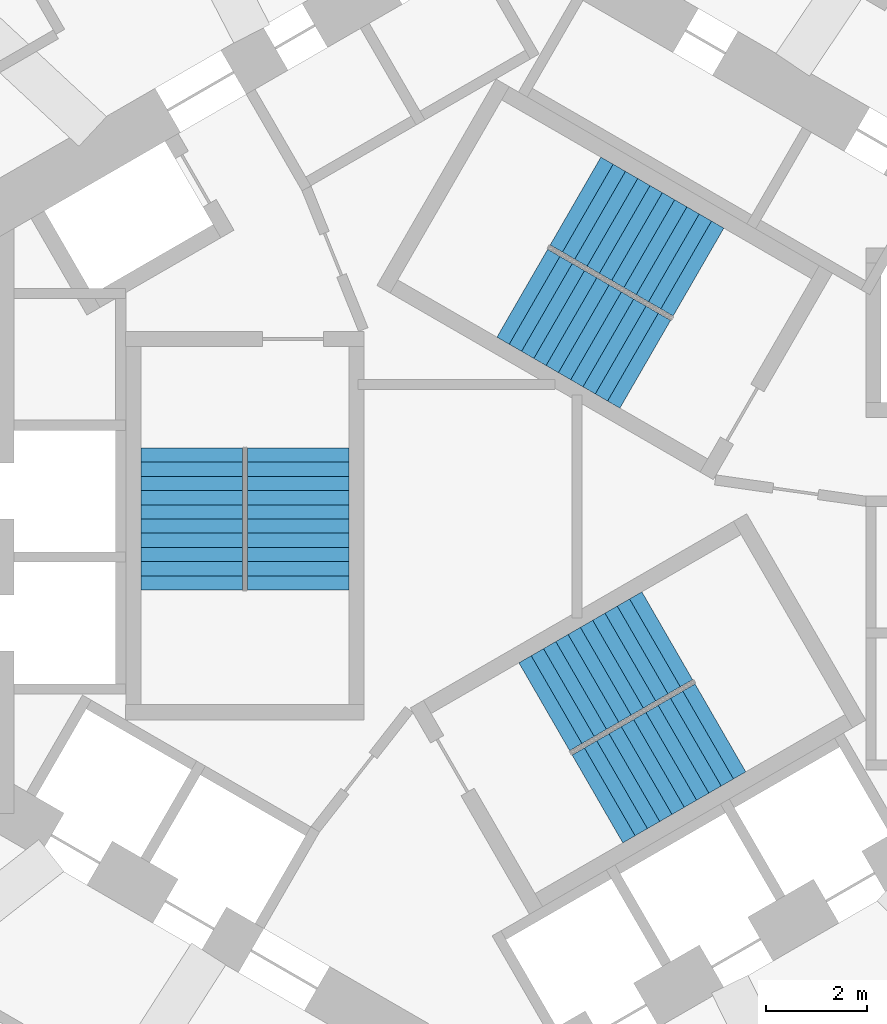
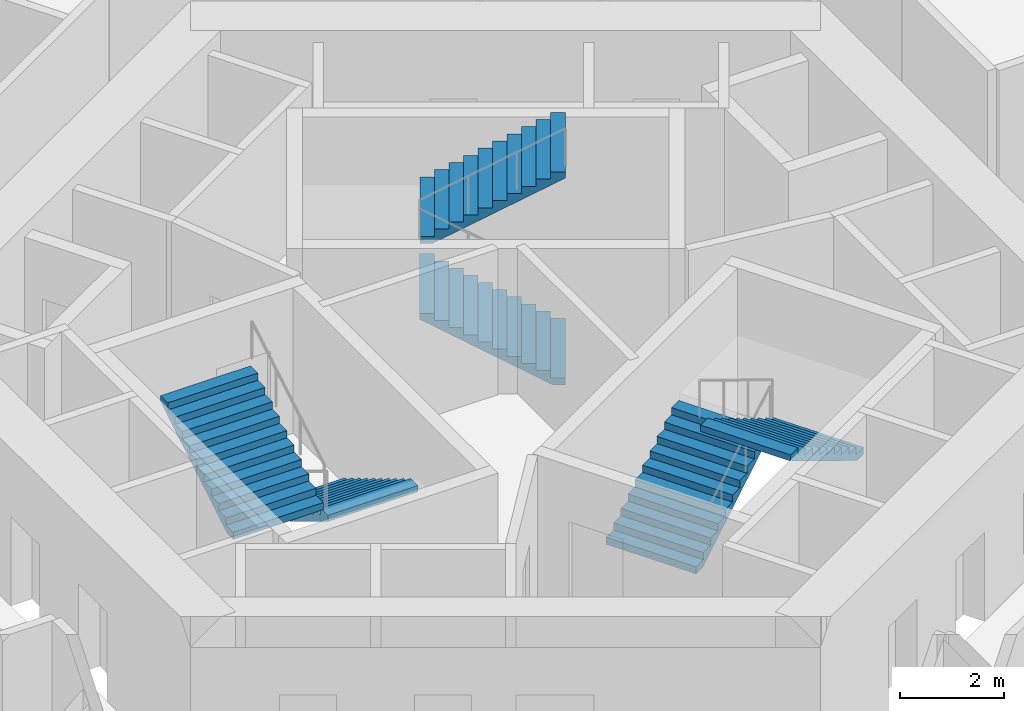
# One storey, part 9 of 11: 6 stair flights, 3 elements without a shape of their own.
"""IFC4 building model written with IfcOpenShell, lengths in metres."""

from ifc_helpers import new_model, si_unit, direction, frame, origin, place, context, subcontext, project, spatial, triangles, source, transform, mapped, material, type_object, element, aggregate, save


model = new_model("IFC4")

# Units and contexts
model_context = context("Model", 3, precision=1e-05, world=origin(), true_north=direction((0.0, 1.0)))
body_context = subcontext(model_context, "Body", "Model", "MODEL_VIEW")
ifc_project = project(units=[si_unit("LENGTHUNIT", "METRE"), si_unit("AREAUNIT", "SQUARE_METRE"), si_unit("VOLUMEUNIT", "CUBIC_METRE"), si_unit("PLANEANGLEUNIT", "RADIAN"), si_unit("MASSUNIT", "GRAM", prefix="KILO")], contexts=[model_context])

# Site, building, storey
site_placement = place(None, origin())
site = spatial("IfcSite", under=ifc_project, at=site_placement, CompositionType="ELEMENT")
building_placement = place(site_placement, origin())
building = spatial("IfcBuilding", under=site, at=building_placement, Name="Vanh Sen Convention Tower", CompositionType="ELEMENT")
storey_placement = place(building_placement, frame((0.0, 0.0, 198.39990234375)))
storey = spatial("IfcBuildingStorey", under=building, at=storey_placement, Name="L49", CompositionType="ELEMENT", Elevation=198.39990234375)

# Stair, stair flights
ifc_material_1 = material(Name="Concrete C50/60", Category="concrete")
stair_type_1 = type_object("IfcStairType", Name="Exit stair ST1 22 risers at 168.2", PredefinedType="HALF_TURN_STAIR", material=ifc_material_1)
stair_1_placement = place(storey_placement, origin())
stair_1 = element("IfcStair", 1, at=stair_1_placement, inside=storey, type_object=stair_type_1, Name="Exit stair ST1 L49", PredefinedType="HALF_TURN_STAIR")
ifc_material_2 = material(Name="Concrete C40/50", Category="concrete")
stair_flight_type = type_object("IfcStairFlightType", Name="Stair flight 2000", PredefinedType="STRAIGHT", material=ifc_material_2)
shared_shape = source(origin(), body_context, "Body", "Tessellation", [
    triangles([(0.24267578125, 1.0, 0.0), (0.0, 1.0, 0.0), (0.0, 1.0, 0.168212890625), (0.280029296875, 1.0, 0.168212890625), (0.280029296875, 1.0, 0.33642578125), (0.56005859375, 1.0, 0.33642578125), (0.56005859375, 1.0, 0.504638671875), (0.840087890625, 1.0, 0.504638671875), (0.840087890625, 1.0, 0.672607421875), (1.1201171875, 1.0, 0.672607421875), (1.1201171875, 1.0, 0.8408203125), (1.39990234375, 1.0, 0.8408203125), (1.39990234375, 1.0, 1.009033203125), (1.679931640625, 1.0, 1.009033203125), (1.679931640625, 1.0, 1.17724609375), (1.9599609375, 1.0, 1.17724609375), (1.9599609375, 1.0, 1.345458984375), (2.239990234375, 1.0, 1.345458984375), (2.239990234375, 1.0, 1.513671875), (2.52001953125, 1.0, 1.513671875), (2.52001953125, 1.0, 1.681884765625), (2.800048828125, 1.0, 1.681884765625), (2.800048828125, 1.0, 1.535888671875), (0.24267578125, -1.0, 0.0), (0.0, -1.0, 0.0), (0.0, -1.0, 0.168212890625), (0.280029296875, -1.0, 0.168212890625), (0.280029296875, -1.0, 0.33642578125), (0.56005859375, -1.0, 0.33642578125), (0.56005859375, -1.0, 0.504638671875), (0.840087890625, -1.0, 0.504638671875), (0.840087890625, -1.0, 0.672607421875), (1.1201171875, -1.0, 0.672607421875), (1.1201171875, -1.0, 0.8408203125), (1.39990234375, -1.0, 0.8408203125), (1.39990234375, -1.0, 1.009033203125), (1.679931640625, -1.0, 1.009033203125), (1.679931640625, -1.0, 1.17724609375), (1.9599609375, -1.0, 1.17724609375), (1.9599609375, -1.0, 1.345458984375), (2.239990234375, -1.0, 1.345458984375), (2.239990234375, -1.0, 1.513671875), (2.52001953125, -1.0, 1.513671875), (2.52001953125, -1.0, 1.681884765625), (2.800048828125, -1.0, 1.681884765625), (2.800048828125, -1.0, 1.535888671875), (0.0, 0.0400390625, 0.0), (0.0, 0.0390625, 0.0), (0.0, 0.0380859375, 0.0), (0.0, 0.037109375, 0.0), (0.0, 0.035888671875, 0.0), (0.0, 0.034912109375, 0.0), (0.0, 0.033935546875, 0.0), (0.0, 0.032958984375, 0.0), (0.0, 0.031982421875, 0.0), (0.0, 0.031005859375, 0.0), (0.0, 0.030029296875, 0.0), (0.0, 0.029052734375, 0.0), (0.0, 0.028076171875, 0.0), (0.0, 0.027099609375, 0.0), (0.0, 0.02587890625, 0.0), (0.0, 0.02490234375, 0.0), (0.0, 0.02392578125, 0.0), (0.0, 0.02294921875, 0.0), (0.0, 0.02197265625, 0.0), (0.0, 0.02099609375, 0.0), (0.0, 0.02001953125, 0.0), (0.0, 0.01904296875, 0.0), (0.0, 0.01806640625, 0.0), (0.0, 0.01708984375, 0.0), (0.0, 0.01611328125, 0.0), (0.0, 0.014892578125, 0.0), (0.0, 0.013916015625, 0.0), (0.0, 0.012939453125, 0.0), (0.0, 0.011962890625, 0.0), (0.0, 0.010986328125, 0.0), (0.0, 0.010009765625, 0.0), (0.0, 0.009033203125, 0.0), (0.0, 0.008056640625, 0.0), (0.0, 0.007080078125, 0.0), (0.0, 0.006103515625, 0.0), (0.0, 0.0048828125, 0.0), (0.0, 0.00390625, 0.0), (0.0, 0.0029296875, 0.0), (0.0, 0.001953125, 0.0), (0.0, 0.0009765625, 0.0), (0.0, 0.0, 0.0), (0.0, -0.0009765625, 0.0), (0.0, -0.001953125, 0.0), (0.0, -0.0029296875, 0.0), (0.0, -0.00390625, 0.0), (0.0, -0.0048828125, 0.0), (0.0, -0.006103515625, 0.0), (0.0, -0.007080078125, 0.0), (0.0, -0.008056640625, 0.0), (0.0, -0.009033203125, 0.0), (0.0, -0.010009765625, 0.0), (0.0, -0.010986328125, 0.0), (0.0, -0.011962890625, 0.0), (0.0, -0.012939453125, 0.0), (0.0, -0.013916015625, 0.0), (0.0, -0.014892578125, 0.0), (0.0, -0.01611328125, 0.0), (0.0, -0.01708984375, 0.0), (0.0, -0.01806640625, 0.0), (0.0, -0.01904296875, 0.0), (0.0, -0.02001953125, 0.0), (0.0, -0.02099609375, 0.0), (0.0, -0.02197265625, 0.0), (0.0, -0.02294921875, 0.0), (0.0, -0.02392578125, 0.0), (0.0, -0.02490234375, 0.0), (0.0, -0.02587890625, 0.0), (0.0, -0.027099609375, 0.0), (0.0, -0.028076171875, 0.0), (0.0, -0.029052734375, 0.0), (0.0, -0.030029296875, 0.0), (0.0, -0.031005859375, 0.0), (0.0, -0.031982421875, 0.0), (0.0, -0.032958984375, 0.0), (0.0, -0.033935546875, 0.0), (0.0, -0.034912109375, 0.0), (0.0, -0.035888671875, 0.0), (0.0, -0.037109375, 0.0), (0.0, -0.0380859375, 0.0), (0.0, -0.0390625, 0.0), (0.0, -0.0400390625, 0.0), (0.0, 0.0400390625, 0.168212890625), (0.0, 0.0390625, 0.168212890625), (0.0, 0.0380859375, 0.168212890625), (0.0, 0.037109375, 0.168212890625), (0.0, 0.035888671875, 0.168212890625), (0.0, 0.034912109375, 0.168212890625), (0.0, 0.033935546875, 0.168212890625), (0.0, 0.032958984375, 0.168212890625), (0.0, 0.031982421875, 0.168212890625), (0.0, 0.031005859375, 0.168212890625), (0.0, 0.030029296875, 0.168212890625), (0.0, 0.029052734375, 0.168212890625), (0.0, 0.028076171875, 0.168212890625), (0.0, 0.027099609375, 0.168212890625), (0.0, 0.02587890625, 0.168212890625), (0.0, 0.02490234375, 0.168212890625), (0.0, 0.02392578125, 0.168212890625), (0.0, 0.02294921875, 0.168212890625), (0.0, 0.02197265625, 0.168212890625), (0.0, 0.02099609375, 0.168212890625), (0.0, 0.02001953125, 0.168212890625), (0.0, 0.01904296875, 0.168212890625), (0.0, 0.01806640625, 0.168212890625), (0.0, 0.01708984375, 0.168212890625), (0.0, 0.01611328125, 0.168212890625), (0.0, 0.014892578125, 0.168212890625), (0.0, 0.013916015625, 0.168212890625), (0.0, 0.012939453125, 0.168212890625), (0.0, 0.011962890625, 0.168212890625), (0.0, 0.010986328125, 0.168212890625), (0.0, 0.010009765625, 0.168212890625), (0.0, 0.009033203125, 0.168212890625), (0.0, 0.008056640625, 0.168212890625), (0.0, 0.007080078125, 0.168212890625), (0.0, 0.006103515625, 0.168212890625), (0.0, 0.0048828125, 0.168212890625), (0.0, 0.00390625, 0.168212890625), (0.0, 0.0029296875, 0.168212890625), (0.0, 0.001953125, 0.168212890625), (0.0, 0.0009765625, 0.168212890625), (0.0, 0.0, 0.168212890625), (0.0, -0.0009765625, 0.168212890625), (0.0, -0.001953125, 0.168212890625), (0.0, -0.0029296875, 0.168212890625), (0.0, -0.00390625, 0.168212890625), (0.0, -0.0048828125, 0.168212890625), (0.0, -0.006103515625, 0.168212890625), (0.0, -0.007080078125, 0.168212890625), (0.0, -0.008056640625, 0.168212890625), (0.0, -0.009033203125, 0.168212890625), (0.0, -0.010009765625, 0.168212890625), (0.0, -0.010986328125, 0.168212890625), (0.0, -0.011962890625, 0.168212890625), (0.0, -0.012939453125, 0.168212890625), (0.0, -0.013916015625, 0.168212890625), (0.0, -0.014892578125, 0.168212890625), (0.0, -0.01611328125, 0.168212890625), (0.0, -0.01708984375, 0.168212890625), (0.0, -0.01806640625, 0.168212890625), (0.0, -0.01904296875, 0.168212890625), (0.0, -0.02001953125, 0.168212890625), (0.0, -0.02099609375, 0.168212890625), (0.0, -0.02197265625, 0.168212890625), (0.0, -0.02294921875, 0.168212890625), (0.0, -0.02392578125, 0.168212890625), (0.0, -0.02490234375, 0.168212890625), (0.0, -0.02587890625, 0.168212890625), (0.0, -0.027099609375, 0.168212890625), (0.0, -0.028076171875, 0.168212890625), (0.0, -0.029052734375, 0.168212890625), (0.0, -0.030029296875, 0.168212890625), (0.0, -0.031005859375, 0.168212890625), (0.0, -0.031982421875, 0.168212890625), (0.0, -0.032958984375, 0.168212890625), (0.0, -0.033935546875, 0.168212890625), (0.0, -0.034912109375, 0.168212890625), (0.0, -0.035888671875, 0.168212890625), (0.0, -0.037109375, 0.168212890625), (0.0, -0.0380859375, 0.168212890625), (0.0, -0.0390625, 0.168212890625), (0.0, -0.0400390625, 0.168212890625), (0.280029296875, 0.0, 0.168212890625), (0.280029296875, 0.0, 0.33642578125), (0.56005859375, 0.0, 0.33642578125), (0.56005859375, 0.0, 0.504638671875), (0.840087890625, 0.0, 0.504638671875), (0.840087890625, 0.0, 0.672607421875), (1.1201171875, 0.0, 0.672607421875), (1.1201171875, 0.0, 0.8408203125), (1.39990234375, 0.0, 0.8408203125), (1.39990234375, 0.0, 1.009033203125), (1.679931640625, 0.0, 1.009033203125), (1.679931640625, 0.0, 1.17724609375), (1.9599609375, 0.0, 1.17724609375), (1.9599609375, 0.0, 1.345458984375), (2.239990234375, 0.0, 1.345458984375), (2.239990234375, 0.0, 1.513671875), (2.52001953125, 0.0, 1.513671875), (2.52001953125, 0.0, 1.681884765625), (2.800048828125, 0.0400390625, 1.681884765625), (2.800048828125, 0.0390625, 1.681884765625), (2.800048828125, 0.0380859375, 1.681884765625), (2.800048828125, 0.037109375, 1.681884765625), (2.800048828125, 0.035888671875, 1.681884765625), (2.800048828125, 0.034912109375, 1.681884765625), (2.800048828125, 0.033935546875, 1.681884765625), (2.800048828125, 0.032958984375, 1.681884765625), (2.800048828125, 0.031982421875, 1.681884765625), (2.800048828125, 0.031005859375, 1.681884765625), (2.800048828125, 0.030029296875, 1.681884765625), (2.800048828125, 0.029052734375, 1.681884765625), (2.800048828125, 0.028076171875, 1.681884765625), (2.800048828125, 0.027099609375, 1.681884765625), (2.800048828125, 0.02587890625, 1.681884765625), (2.800048828125, 0.02490234375, 1.681884765625), (2.800048828125, 0.02392578125, 1.681884765625), (2.800048828125, 0.02294921875, 1.681884765625), (2.800048828125, 0.02197265625, 1.681884765625), (2.800048828125, 0.02099609375, 1.681884765625), (2.800048828125, 0.02001953125, 1.681884765625), (2.800048828125, 0.01904296875, 1.681884765625), (2.800048828125, 0.01806640625, 1.681884765625), (2.800048828125, 0.01708984375, 1.681884765625), (2.800048828125, 0.01611328125, 1.681884765625), (2.800048828125, 0.014892578125, 1.681884765625), (2.800048828125, 0.013916015625, 1.681884765625), (2.800048828125, 0.012939453125, 1.681884765625), (2.800048828125, 0.011962890625, 1.681884765625), (2.800048828125, 0.010986328125, 1.681884765625), (2.800048828125, 0.010009765625, 1.681884765625), (2.800048828125, 0.009033203125, 1.681884765625), (2.800048828125, 0.008056640625, 1.681884765625), (2.800048828125, 0.007080078125, 1.681884765625), (2.800048828125, 0.006103515625, 1.681884765625), (2.800048828125, 0.0048828125, 1.681884765625), (2.800048828125, 0.00390625, 1.681884765625), (2.800048828125, 0.0029296875, 1.681884765625), (2.800048828125, 0.001953125, 1.681884765625), (2.800048828125, 0.0009765625, 1.681884765625), (2.800048828125, 0.0, 1.681884765625), (2.800048828125, -0.0009765625, 1.681884765625), (2.800048828125, -0.001953125, 1.681884765625), (2.800048828125, -0.0029296875, 1.681884765625), (2.800048828125, -0.00390625, 1.681884765625), (2.800048828125, -0.0048828125, 1.681884765625), (2.800048828125, -0.006103515625, 1.681884765625), (2.800048828125, -0.007080078125, 1.681884765625), (2.800048828125, -0.008056640625, 1.681884765625), (2.800048828125, -0.009033203125, 1.681884765625), (2.800048828125, -0.010009765625, 1.681884765625), (2.800048828125, -0.010986328125, 1.681884765625), (2.800048828125, -0.011962890625, 1.681884765625), (2.800048828125, -0.012939453125, 1.681884765625), (2.800048828125, -0.013916015625, 1.681884765625), (2.800048828125, -0.014892578125, 1.681884765625), (2.800048828125, -0.01611328125, 1.681884765625), (2.800048828125, -0.01708984375, 1.681884765625), (2.800048828125, -0.01806640625, 1.681884765625), (2.800048828125, -0.01904296875, 1.681884765625), (2.800048828125, -0.02001953125, 1.681884765625), (2.800048828125, -0.02099609375, 1.681884765625), (2.800048828125, -0.02197265625, 1.681884765625), (2.800048828125, -0.02294921875, 1.681884765625), (2.800048828125, -0.02392578125, 1.681884765625), (2.800048828125, -0.02490234375, 1.681884765625), (2.800048828125, -0.02587890625, 1.681884765625), (2.800048828125, -0.027099609375, 1.681884765625), (2.800048828125, -0.028076171875, 1.681884765625), (2.800048828125, -0.029052734375, 1.681884765625), (2.800048828125, -0.030029296875, 1.681884765625), (2.800048828125, -0.031005859375, 1.681884765625), (2.800048828125, -0.031982421875, 1.681884765625), (2.800048828125, -0.032958984375, 1.681884765625), (2.800048828125, -0.033935546875, 1.681884765625), (2.800048828125, -0.034912109375, 1.681884765625), (2.800048828125, -0.035888671875, 1.681884765625), (2.800048828125, -0.037109375, 1.681884765625), (2.800048828125, -0.0380859375, 1.681884765625), (2.800048828125, -0.0390625, 1.681884765625), (2.800048828125, -0.0400390625, 1.681884765625), (2.800048828125, 0.0400390625, 1.535888671875), (2.800048828125, 0.0390625, 1.535888671875), (2.800048828125, 0.0380859375, 1.535888671875), (2.800048828125, 0.037109375, 1.535888671875), (2.800048828125, 0.035888671875, 1.535888671875), (2.800048828125, 0.034912109375, 1.535888671875), (2.800048828125, 0.033935546875, 1.535888671875), (2.800048828125, 0.032958984375, 1.535888671875), (2.800048828125, 0.031982421875, 1.535888671875), (2.800048828125, 0.031005859375, 1.535888671875), (2.800048828125, 0.030029296875, 1.535888671875), (2.800048828125, 0.029052734375, 1.535888671875), (2.800048828125, 0.028076171875, 1.535888671875), (2.800048828125, 0.027099609375, 1.535888671875), (2.800048828125, 0.02587890625, 1.535888671875), (2.800048828125, 0.02490234375, 1.535888671875), (2.800048828125, 0.02392578125, 1.535888671875), (2.800048828125, 0.02294921875, 1.535888671875), (2.800048828125, 0.02197265625, 1.535888671875), (2.800048828125, 0.02099609375, 1.535888671875), (2.800048828125, 0.02001953125, 1.535888671875), (2.800048828125, 0.01904296875, 1.535888671875), (2.800048828125, 0.01806640625, 1.535888671875), (2.800048828125, 0.01708984375, 1.535888671875), (2.800048828125, 0.01611328125, 1.535888671875), (2.800048828125, 0.014892578125, 1.535888671875), (2.800048828125, 0.013916015625, 1.535888671875), (2.800048828125, 0.012939453125, 1.535888671875), (2.800048828125, 0.011962890625, 1.535888671875), (2.800048828125, 0.010986328125, 1.535888671875), (2.800048828125, 0.010009765625, 1.535888671875), (2.800048828125, 0.009033203125, 1.535888671875), (2.800048828125, 0.008056640625, 1.535888671875), (2.800048828125, 0.007080078125, 1.535888671875), (2.800048828125, 0.006103515625, 1.535888671875), (2.800048828125, 0.0048828125, 1.535888671875), (2.800048828125, 0.00390625, 1.535888671875), (2.800048828125, 0.0029296875, 1.535888671875), (2.800048828125, 0.001953125, 1.535888671875), (2.800048828125, 0.0009765625, 1.535888671875), (2.800048828125, 0.0, 1.535888671875), (2.800048828125, -0.0009765625, 1.535888671875), (2.800048828125, -0.001953125, 1.535888671875), (2.800048828125, -0.0029296875, 1.535888671875), (2.800048828125, -0.00390625, 1.535888671875), (2.800048828125, -0.0048828125, 1.535888671875), (2.800048828125, -0.006103515625, 1.535888671875), (2.800048828125, -0.007080078125, 1.535888671875), (2.800048828125, -0.008056640625, 1.535888671875), (2.800048828125, -0.009033203125, 1.535888671875), (2.800048828125, -0.010009765625, 1.535888671875), (2.800048828125, -0.010986328125, 1.535888671875), (2.800048828125, -0.011962890625, 1.535888671875), (2.800048828125, -0.012939453125, 1.535888671875), (2.800048828125, -0.013916015625, 1.535888671875), (2.800048828125, -0.014892578125, 1.535888671875), (2.800048828125, -0.01611328125, 1.535888671875), (2.800048828125, -0.01708984375, 1.535888671875), (2.800048828125, -0.01806640625, 1.535888671875), (2.800048828125, -0.01904296875, 1.535888671875), (2.800048828125, -0.02001953125, 1.535888671875), (2.800048828125, -0.02099609375, 1.535888671875), (2.800048828125, -0.02197265625, 1.535888671875), (2.800048828125, -0.02294921875, 1.535888671875), (2.800048828125, -0.02392578125, 1.535888671875), (2.800048828125, -0.02490234375, 1.535888671875), (2.800048828125, -0.02587890625, 1.535888671875), (2.800048828125, -0.027099609375, 1.535888671875), (2.800048828125, -0.028076171875, 1.535888671875), (2.800048828125, -0.029052734375, 1.535888671875), (2.800048828125, -0.030029296875, 1.535888671875), (2.800048828125, -0.031005859375, 1.535888671875), (2.800048828125, -0.031982421875, 1.535888671875), (2.800048828125, -0.032958984375, 1.535888671875), (2.800048828125, -0.033935546875, 1.535888671875), (2.800048828125, -0.034912109375, 1.535888671875), (2.800048828125, -0.035888671875, 1.535888671875), (2.800048828125, -0.037109375, 1.535888671875), (2.800048828125, -0.0380859375, 1.535888671875), (2.800048828125, -0.0390625, 1.535888671875), (2.800048828125, -0.0400390625, 1.535888671875), (0.24267578125, 0.0, 0.0)], [[1, 2, 3], [1, 3, 4], [4, 5, 6], [1, 4, 6], [6, 7, 8], [1, 6, 8], [8, 9, 10], [1, 8, 10], [10, 11, 12], [1, 10, 12], [12, 13, 14], [1, 12, 14], [14, 15, 16], [1, 14, 16], [16, 17, 18], [1, 16, 18], [18, 19, 20], [1, 18, 20], [20, 21, 22], [1, 20, 22], [22, 23, 1], [24, 26, 25], [24, 27, 26], [27, 29, 28], [24, 29, 27], [29, 31, 30], [24, 31, 29], [31, 33, 32], [24, 33, 31], [33, 35, 34], [24, 35, 33], [35, 37, 36], [24, 37, 35], [37, 39, 38], [24, 39, 37], [39, 41, 40], [24, 41, 39], [41, 43, 42], [24, 43, 41], [43, 45, 44], [24, 45, 43], [45, 24, 46], [2, 128, 3], [2, 47, 128], [47, 129, 128], [47, 48, 129], [48, 130, 129], [48, 49, 130], [49, 131, 130], [49, 50, 131], [50, 132, 131], [50, 51, 132], [51, 133, 132], [51, 52, 133], [52, 134, 133], [52, 53, 134], [53, 135, 134], [53, 54, 135], [54, 136, 135], [54, 55, 136], [55, 137, 136], [55, 56, 137], [56, 138, 137], [56, 57, 138], [57, 139, 138], [57, 58, 139], [58, 140, 139], [58, 59, 140], [59, 141, 140], [59, 60, 141], [60, 142, 141], [60, 61, 142], [61, 143, 142], [61, 62, 143], [62, 144, 143], [62, 63, 144], [63, 145, 144], [63, 64, 145], [64, 146, 145], [64, 65, 146], [65, 147, 146], [65, 66, 147], [66, 148, 147], [66, 67, 148], [67, 149, 148], [67, 68, 149], [68, 150, 149], [68, 69, 150], [69, 151, 150], [69, 70, 151], [70, 152, 151], [70, 71, 152], [71, 153, 152], [71, 72, 153], [72, 154, 153], [72, 73, 154], [73, 155, 154], [73, 74, 155], [74, 156, 155], [74, 75, 156], [75, 157, 156], [75, 76, 157], [76, 158, 157], [76, 77, 158], [77, 159, 158], [77, 78, 159], [78, 160, 159], [78, 79, 160], [79, 161, 160], [79, 80, 161], [80, 162, 161], [80, 81, 162], [81, 163, 162], [81, 82, 163], [82, 164, 163], [82, 83, 164], [83, 165, 164], [83, 84, 165], [84, 166, 165], [84, 85, 166], [85, 167, 166], [85, 86, 167], [86, 168, 167], [86, 87, 168], [87, 88, 168], [168, 88, 169], [88, 89, 169], [169, 89, 170], [89, 90, 170], [170, 90, 171], [90, 91, 171], [171, 91, 172], [91, 92, 172], [172, 92, 173], [92, 93, 173], [173, 93, 174], [93, 94, 174], [174, 94, 175], [94, 95, 175], [175, 95, 176], [95, 96, 176], [176, 96, 177], [96, 97, 177], [177, 97, 178], [97, 98, 178], [178, 98, 179], [98, 99, 179], [179, 99, 180], [99, 100, 180], [180, 100, 181], [100, 101, 181], [181, 101, 182], [101, 102, 182], [182, 102, 183], [102, 103, 183], [183, 103, 184], [103, 104, 184], [184, 104, 185], [104, 105, 185], [185, 105, 186], [105, 106, 186], [186, 106, 187], [106, 107, 187], [187, 107, 188], [107, 108, 188], [188, 108, 189], [108, 109, 189], [189, 109, 190], [109, 110, 190], [190, 110, 191], [110, 111, 191], [191, 111, 192], [111, 112, 192], [192, 112, 193], [112, 113, 193], [193, 113, 194], [113, 114, 194], [194, 114, 195], [114, 115, 195], [195, 115, 196], [115, 116, 196], [196, 116, 197], [116, 117, 197], [197, 117, 198], [117, 118, 198], [198, 118, 199], [118, 119, 199], [199, 119, 200], [119, 120, 200], [200, 120, 201], [120, 121, 201], [201, 121, 202], [121, 122, 202], [202, 122, 203], [122, 123, 203], [203, 123, 204], [123, 124, 204], [204, 124, 205], [124, 125, 205], [205, 125, 206], [125, 126, 206], [206, 126, 207], [126, 127, 207], [207, 127, 208], [127, 25, 208], [208, 25, 26], [4, 3, 128], [4, 128, 129], [4, 129, 130], [4, 130, 131], [4, 131, 132], [4, 132, 133], [4, 133, 134], [4, 134, 135], [4, 135, 136], [4, 136, 137], [4, 137, 138], [4, 138, 139], [4, 139, 140], [4, 140, 141], [4, 141, 142], [4, 142, 143], [4, 143, 144], [4, 144, 145], [4, 145, 146], [4, 146, 147], [4, 147, 148], [4, 148, 149], [4, 149, 150], [4, 150, 151], [4, 151, 152], [4, 152, 153], [4, 153, 154], [4, 154, 155], [4, 155, 156], [4, 156, 157], [4, 157, 158], [4, 158, 159], [4, 159, 160], [4, 160, 161], [4, 161, 162], [4, 162, 163], [4, 163, 164], [4, 164, 165], [4, 165, 166], [4, 166, 167], [4, 167, 168], [27, 168, 169], [27, 169, 170], [27, 170, 171], [27, 171, 172], [27, 172, 173], [27, 173, 174], [27, 174, 175], [27, 175, 176], [27, 176, 177], [27, 177, 178], [27, 178, 179], [27, 179, 180], [27, 180, 181], [27, 181, 182], [27, 182, 183], [27, 183, 184], [27, 184, 185], [27, 185, 186], [27, 186, 187], [27, 187, 188], [27, 188, 189], [27, 189, 190], [27, 190, 191], [27, 191, 192], [27, 192, 193], [27, 193, 194], [27, 194, 195], [27, 195, 196], [27, 196, 197], [27, 197, 198], [27, 198, 199], [27, 199, 200], [27, 200, 201], [27, 201, 202], [27, 202, 203], [27, 203, 204], [27, 204, 205], [27, 205, 206], [27, 206, 207], [27, 207, 208], [27, 208, 26], [4, 168, 209], [27, 209, 168], [4, 210, 5], [4, 209, 210], [209, 27, 210], [210, 27, 28], [5, 211, 6], [5, 210, 211], [210, 28, 211], [211, 28, 29], [6, 212, 7], [6, 211, 212], [211, 29, 212], [212, 29, 30], [7, 213, 8], [7, 212, 213], [212, 30, 213], [213, 30, 31], [8, 214, 9], [8, 213, 214], [213, 31, 214], [214, 31, 32], [9, 215, 10], [9, 214, 215], [214, 32, 215], [215, 32, 33], [10, 216, 11], [10, 215, 216], [215, 33, 216], [216, 33, 34], [11, 217, 12], [11, 216, 217], [216, 34, 217], [217, 34, 35], [12, 218, 13], [12, 217, 218], [217, 35, 218], [218, 35, 36], [13, 219, 14], [13, 218, 219], [218, 36, 219], [219, 36, 37], [14, 220, 15], [14, 219, 220], [219, 37, 220], [220, 37, 38], [15, 221, 16], [15, 220, 221], [220, 38, 221], [221, 38, 39], [16, 222, 17], [16, 221, 222], [221, 39, 222], [222, 39, 40], [17, 223, 18], [17, 222, 223], [222, 40, 223], [223, 40, 41], [18, 224, 19], [18, 223, 224], [223, 41, 224], [224, 41, 42], [19, 225, 20], [19, 224, 225], [224, 42, 225], [225, 42, 43], [20, 226, 21], [20, 225, 226], [225, 43, 226], [226, 43, 44], [21, 227, 22], [21, 228, 227], [21, 229, 228], [21, 230, 229], [21, 231, 230], [21, 232, 231], [21, 233, 232], [21, 234, 233], [21, 235, 234], [21, 236, 235], [21, 237, 236], [21, 238, 237], [21, 239, 238], [21, 240, 239], [21, 241, 240], [21, 242, 241], [21, 243, 242], [21, 244, 243], [21, 245, 244], [21, 246, 245], [21, 247, 246], [21, 248, 247], [21, 249, 248], [21, 250, 249], [21, 251, 250], [21, 252, 251], [21, 253, 252], [21, 254, 253], [21, 255, 254], [21, 256, 255], [21, 257, 256], [21, 258, 257], [21, 259, 258], [21, 260, 259], [21, 261, 260], [21, 262, 261], [21, 263, 262], [21, 264, 263], [21, 265, 264], [21, 266, 265], [21, 267, 266], [44, 268, 267], [44, 269, 268], [44, 270, 269], [44, 271, 270], [44, 272, 271], [44, 273, 272], [44, 274, 273], [44, 275, 274], [44, 276, 275], [44, 277, 276], [44, 278, 277], [44, 279, 278], [44, 280, 279], [44, 281, 280], [44, 282, 281], [44, 283, 282], [44, 284, 283], [44, 285, 284], [44, 286, 285], [44, 287, 286], [44, 288, 287], [44, 289, 288], [44, 290, 289], [44, 291, 290], [44, 292, 291], [44, 293, 292], [44, 294, 293], [44, 295, 294], [44, 296, 295], [44, 297, 296], [44, 298, 297], [44, 299, 298], [44, 300, 299], [44, 301, 300], [44, 302, 301], [44, 303, 302], [44, 304, 303], [44, 305, 304], [44, 306, 305], [44, 307, 306], [44, 45, 307], [21, 226, 267], [44, 267, 226], [22, 308, 23], [22, 227, 308], [227, 309, 308], [227, 228, 309], [228, 310, 309], [228, 229, 310], [229, 311, 310], [229, 230, 311], [230, 312, 311], [230, 231, 312], [231, 313, 312], [231, 232, 313], [232, 314, 313], [232, 233, 314], [233, 315, 314], [233, 234, 315], [234, 316, 315], [234, 235, 316], [235, 317, 316], [235, 236, 317], [236, 318, 317], [236, 237, 318], [237, 319, 318], [237, 238, 319], [238, 320, 319], [238, 239, 320], [239, 321, 320], [239, 240, 321], [240, 322, 321], [240, 241, 322], [241, 323, 322], [241, 242, 323], [242, 324, 323], [242, 243, 324], [243, 325, 324], [243, 244, 325], [244, 326, 325], [244, 245, 326], [245, 327, 326], [245, 246, 327], [246, 328, 327], [246, 247, 328], [247, 329, 328], [247, 248, 329], [248, 330, 329], [248, 249, 330], [249, 331, 330], [249, 250, 331], [250, 332, 331], [250, 251, 332], [251, 333, 332], [251, 252, 333], [252, 334, 333], [252, 253, 334], [253, 335, 334], [253, 254, 335], [254, 336, 335], [254, 255, 336], [255, 337, 336], [255, 256, 337], [256, 338, 337], [256, 257, 338], [257, 339, 338], [257, 258, 339], [258, 340, 339], [258, 259, 340], [259, 341, 340], [259, 260, 341], [260, 342, 341], [260, 261, 342], [261, 343, 342], [261, 262, 343], [262, 344, 343], [262, 263, 344], [263, 345, 344], [263, 264, 345], [264, 346, 345], [264, 265, 346], [265, 347, 346], [265, 266, 347], [266, 348, 347], [266, 267, 348], [267, 268, 348], [348, 268, 349], [268, 269, 349], [349, 269, 350], [269, 270, 350], [350, 270, 351], [270, 271, 351], [351, 271, 352], [271, 272, 352], [352, 272, 353], [272, 273, 353], [353, 273, 354], [273, 274, 354], [354, 274, 355], [274, 275, 355], [355, 275, 356], [275, 276, 356], [356, 276, 357], [276, 277, 357], [357, 277, 358], [277, 278, 358], [358, 278, 359], [278, 279, 359], [359, 279, 360], [279, 280, 360], [360, 280, 361], [280, 281, 361], [361, 281, 362], [281, 282, 362], [362, 282, 363], [282, 283, 363], [363, 283, 364], [283, 284, 364], [364, 284, 365], [284, 285, 365], [365, 285, 366], [285, 286, 366], [366, 286, 367], [286, 287, 367], [367, 287, 368], [287, 288, 368], [368, 288, 369], [288, 289, 369], [369, 289, 370], [289, 290, 370], [370, 290, 371], [290, 291, 371], [371, 291, 372], [291, 292, 372], [372, 292, 373], [292, 293, 373], [373, 293, 374], [293, 294, 374], [374, 294, 375], [294, 295, 375], [375, 295, 376], [295, 296, 376], [376, 296, 377], [296, 297, 377], [377, 297, 378], [297, 298, 378], [378, 298, 379], [298, 299, 379], [379, 299, 380], [299, 300, 380], [380, 300, 381], [300, 301, 381], [381, 301, 382], [301, 302, 382], [382, 302, 383], [302, 303, 383], [383, 303, 384], [303, 304, 384], [384, 304, 385], [304, 305, 385], [385, 305, 386], [305, 306, 386], [386, 306, 387], [306, 307, 387], [387, 307, 388], [307, 45, 388], [388, 45, 46], [1, 23, 308], [1, 308, 309], [1, 309, 310], [1, 310, 311], [1, 311, 312], [1, 312, 313], [1, 313, 314], [1, 314, 315], [1, 315, 316], [1, 316, 317], [1, 317, 318], [1, 318, 319], [1, 319, 320], [1, 320, 321], [1, 321, 322], [1, 322, 323], [1, 323, 324], [1, 324, 325], [1, 325, 326], [1, 326, 327], [1, 327, 328], [1, 328, 329], [1, 329, 330], [1, 330, 331], [1, 331, 332], [1, 332, 333], [1, 333, 334], [1, 334, 335], [1, 335, 336], [1, 336, 337], [1, 337, 338], [1, 338, 339], [1, 339, 340], [1, 340, 341], [1, 341, 342], [1, 342, 343], [1, 343, 344], [1, 344, 345], [1, 345, 346], [1, 346, 347], [1, 347, 348], [24, 348, 349], [24, 349, 350], [24, 350, 351], [24, 351, 352], [24, 352, 353], [24, 353, 354], [24, 354, 355], [24, 355, 356], [24, 356, 357], [24, 357, 358], [24, 358, 359], [24, 359, 360], [24, 360, 361], [24, 361, 362], [24, 362, 363], [24, 363, 364], [24, 364, 365], [24, 365, 366], [24, 366, 367], [24, 367, 368], [24, 368, 369], [24, 369, 370], [24, 370, 371], [24, 371, 372], [24, 372, 373], [24, 373, 374], [24, 374, 375], [24, 375, 376], [24, 376, 377], [24, 377, 378], [24, 378, 379], [24, 379, 380], [24, 380, 381], [24, 381, 382], [24, 382, 383], [24, 383, 384], [24, 384, 385], [24, 385, 386], [24, 386, 387], [24, 387, 388], [24, 388, 46], [1, 348, 389], [24, 389, 348], [1, 47, 2], [1, 48, 47], [1, 49, 48], [1, 50, 49], [1, 51, 50], [1, 52, 51], [1, 53, 52], [1, 54, 53], [1, 55, 54], [1, 56, 55], [1, 57, 56], [1, 58, 57], [1, 59, 58], [1, 60, 59], [1, 61, 60], [1, 62, 61], [1, 63, 62], [1, 64, 63], [1, 65, 64], [1, 66, 65], [1, 67, 66], [1, 68, 67], [1, 69, 68], [1, 70, 69], [1, 71, 70], [1, 72, 71], [1, 73, 72], [1, 74, 73], [1, 75, 74], [1, 76, 75], [1, 77, 76], [1, 78, 77], [1, 79, 78], [1, 80, 79], [1, 81, 80], [1, 82, 81], [1, 83, 82], [1, 84, 83], [1, 85, 84], [1, 86, 85], [1, 87, 86], [24, 88, 87], [24, 89, 88], [24, 90, 89], [24, 91, 90], [24, 92, 91], [24, 93, 92], [24, 94, 93], [24, 95, 94], [24, 96, 95], [24, 97, 96], [24, 98, 97], [24, 99, 98], [24, 100, 99], [24, 101, 100], [24, 102, 101], [24, 103, 102], [24, 104, 103], [24, 105, 104], [24, 106, 105], [24, 107, 106], [24, 108, 107], [24, 109, 108], [24, 110, 109], [24, 111, 110], [24, 112, 111], [24, 113, 112], [24, 114, 113], [24, 115, 114], [24, 116, 115], [24, 117, 116], [24, 118, 117], [24, 119, 118], [24, 120, 119], [24, 121, 120], [24, 122, 121], [24, 123, 122], [24, 124, 123], [24, 125, 124], [24, 126, 125], [24, 127, 126], [24, 25, 127], [1, 389, 87], [24, 87, 389]], closed=True),
])
stair_flight_1_placement = place(storey_placement, frame((2.94580078125, 2.802490234375, 0.0), z_axis=(0.0, 0.0, 1.0), x_axis=(-0.866025403784, 0.5, 0.0)))
stair_flight_1 = element("IfcStairFlight", 2, at=stair_flight_1_placement, type_object=stair_flight_type, Name="ST1 flight 1", NumberOfRisers=11, NumberOfTreads=10, PredefinedType="STRAIGHT", RiserHeight=0.168181818, TreadLength=0.28, context=body_context, shape_type="MappedRepresentation", body=[
    mapped(shared_shape, transform((0.0, 0.0, 0.0))),
])
stair_flight_2_placement = place(storey_placement, frame((1.571044921875, 6.021240234375, 1.85009765625), z_axis=(0.0, 0.0, 1.0), x_axis=(0.866025403784, -0.5, 0.0)))
stair_flight_2 = element("IfcStairFlight", 3, at=stair_flight_2_placement, type_object=stair_flight_type, Name="ST1 flight 2", NumberOfRisers=11, NumberOfTreads=10, PredefinedType="STRAIGHT", RiserHeight=0.168181818, TreadLength=0.28, context=body_context, shape_type="MappedRepresentation", body=[
    mapped(shared_shape, transform((0.0, 0.0, 0.0))),
])
aggregate(stair_1, [stair_flight_1, stair_flight_2])

stair_type_2 = type_object("IfcStairType", Name="Exit stair ST2 22 risers at 168.2", PredefinedType="HALF_TURN_STAIR", material=ifc_material_1)
stair_2_placement = place(storey_placement, origin())
stair_2 = element("IfcStair", 4, at=stair_2_placement, inside=storey, type_object=stair_type_2, Name="Exit stair ST2 L49", PredefinedType="HALF_TURN_STAIR")
stair_flight_3_placement = place(storey_placement, frame((-3.89990234375, 1.14990234375, 0.0), z_axis=(0.0, 0.0, 1.0), x_axis=(0.0, -1.0, 0.0)))
stair_flight_3 = element("IfcStairFlight", 5, at=stair_flight_3_placement, type_object=stair_flight_type, Name="ST2 flight 1", NumberOfRisers=11, NumberOfTreads=10, PredefinedType="STRAIGHT", RiserHeight=0.168181818, TreadLength=0.28, context=body_context, shape_type="MappedRepresentation", body=[
    mapped(shared_shape, transform((0.0, 0.0, 0.0))),
])
stair_flight_4_placement = place(storey_placement, frame((-6.0, -1.64990234375, 1.85009765625), z_axis=(0.0, 0.0, 1.0), x_axis=(0.0, 1.0, 0.0)))
stair_flight_4 = element("IfcStairFlight", 6, at=stair_flight_4_placement, type_object=stair_flight_type, Name="ST2 flight 2", NumberOfRisers=11, NumberOfTreads=10, PredefinedType="STRAIGHT", RiserHeight=0.168181818, TreadLength=0.28, context=body_context, shape_type="MappedRepresentation", body=[
    mapped(shared_shape, transform((0.0, 0.0, 0.0))),
])
aggregate(stair_2, [stair_flight_3, stair_flight_4])

stair_type_3 = type_object("IfcStairType", Name="Exit stair ST3 22 risers at 168.2", PredefinedType="HALF_TURN_STAIR", material=ifc_material_1)
stair_3_placement = place(storey_placement, origin())
stair_3 = element("IfcStair", 7, at=stair_3_placement, inside=storey, type_object=stair_type_3, Name="Exit stair ST3 L49", PredefinedType="HALF_TURN_STAIR")
stair_flight_5_placement = place(storey_placement, frame((0.9541015625, -3.952392578125, 0.0), z_axis=(0.0, 0.0, 1.0), x_axis=(0.866025403784, 0.5, 0.0)))
stair_flight_5 = element("IfcStairFlight", 8, at=stair_flight_5_placement, type_object=stair_flight_type, Name="ST3 flight 1", NumberOfRisers=11, NumberOfTreads=10, PredefinedType="STRAIGHT", RiserHeight=0.168181818, TreadLength=0.28, context=body_context, shape_type="MappedRepresentation", body=[
    mapped(shared_shape, transform((0.0, 0.0, 0.0))),
])
stair_flight_6_placement = place(storey_placement, frame((4.428955078125, -4.37109375, 1.85009765625), z_axis=(0.0, 0.0, 1.0), x_axis=(-0.866025403784, -0.5, 0.0)))
stair_flight_6 = element("IfcStairFlight", 9, at=stair_flight_6_placement, type_object=stair_flight_type, Name="ST3 flight 2", NumberOfRisers=11, NumberOfTreads=10, PredefinedType="STRAIGHT", RiserHeight=0.168181818, TreadLength=0.28, context=body_context, shape_type="MappedRepresentation", body=[
    mapped(shared_shape, transform((0.0, 0.0, 0.0))),
])
aggregate(stair_3, [stair_flight_5, stair_flight_6])

save(model, "model.ifc")
